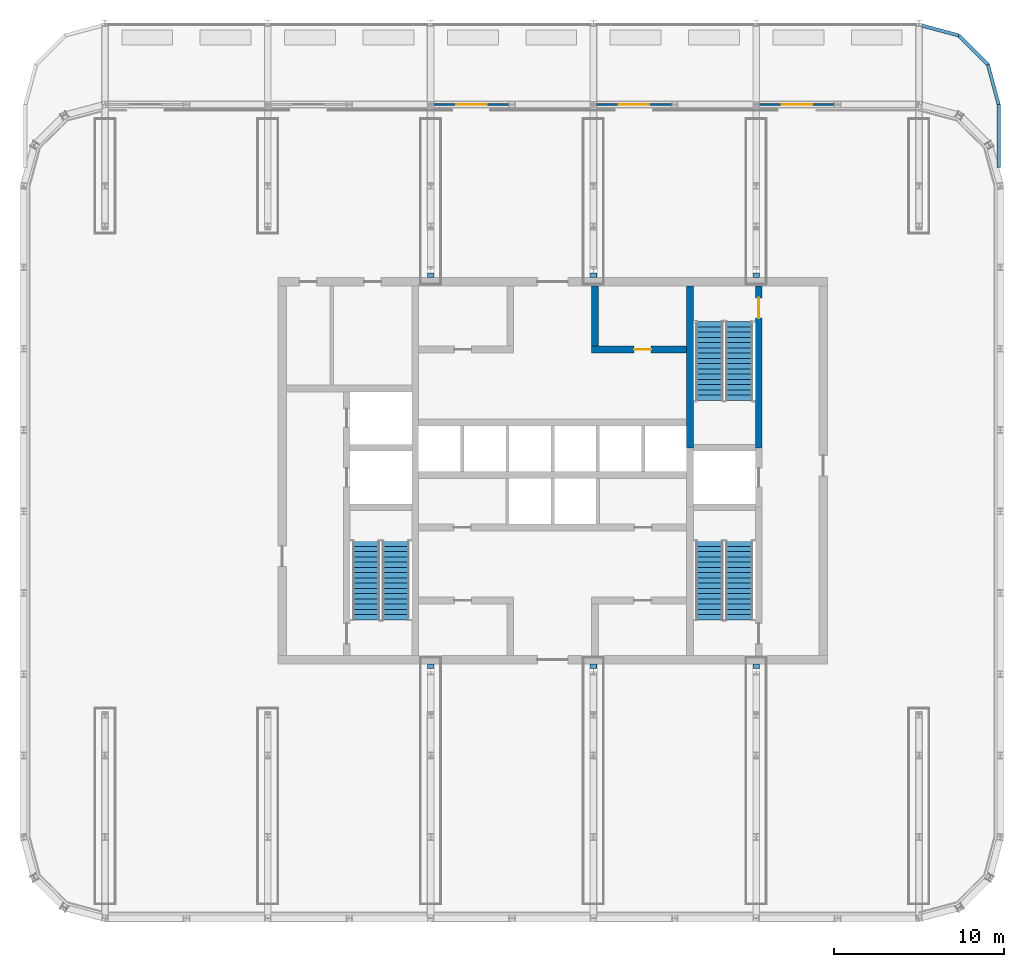
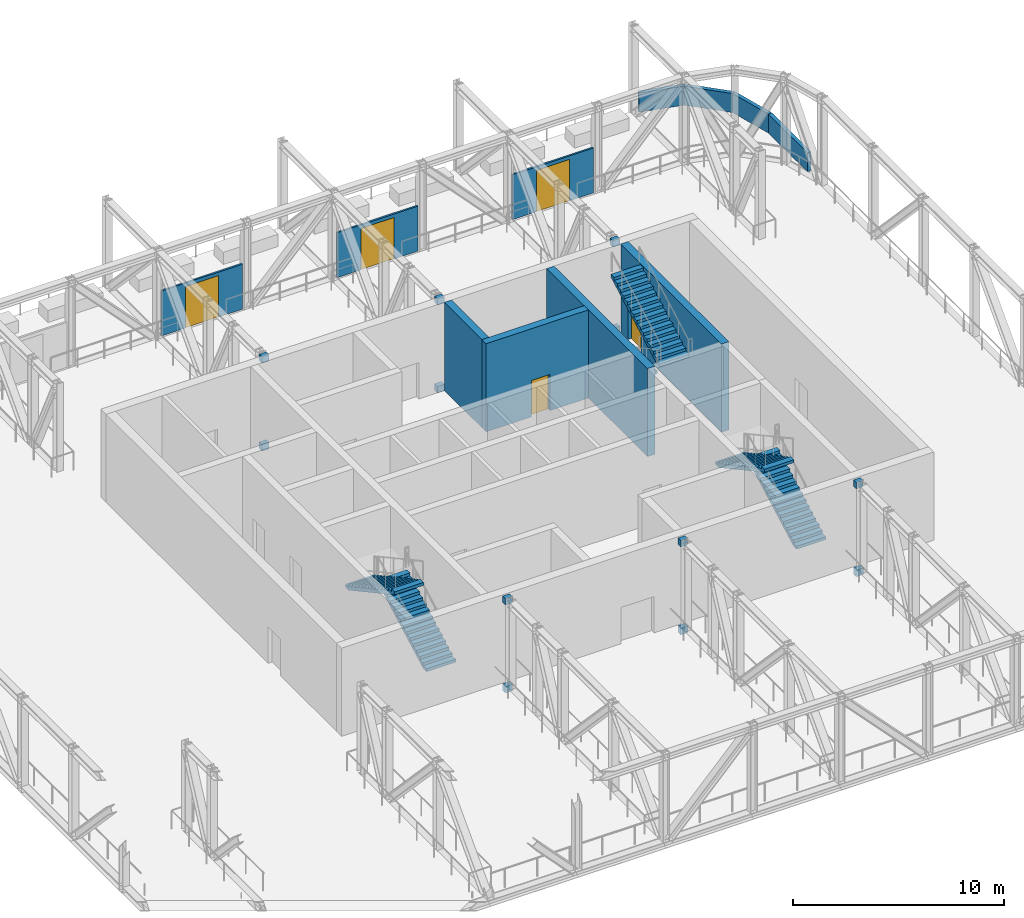
# One storey, part 10 of 16: 12 discrete accessories, 11 walls, 6 stair flights, 5 doors, 5 openings, 3 elements without a shape of their own.
"""IFC4 building model written with IfcOpenShell, lengths in metres."""

from ifc_helpers import new_model, si_unit, direction, frame, frame_2d, origin, origin_2d, place, context, subcontext, project, spatial, polyline, rectangle, outline, extrude, material, layer, layer_set, type_object, element, fill, aggregate, save


model = new_model("IFC4")

# Units and contexts
model_context = context("Model", 3, precision=1e-05, world=origin(), true_north=direction((0.0, 1.0)))
body_context = subcontext(model_context, "Body", "Model", "MODEL_VIEW")
ifc_project = project(units=[si_unit("LENGTHUNIT", "METRE"), si_unit("AREAUNIT", "SQUARE_METRE"), si_unit("VOLUMEUNIT", "CUBIC_METRE"), si_unit("PLANEANGLEUNIT", "RADIAN"), si_unit("MASSUNIT", "GRAM", prefix="KILO")], contexts=[model_context])

# Site, building, storey
site_placement = place(None, origin())
site = spatial("IfcSite", under=ifc_project, at=site_placement, CompositionType="ELEMENT")
building_placement = place(site_placement, origin())
building = spatial("IfcBuilding", under=site, at=building_placement, Name="Madar Terraces", CompositionType="ELEMENT")
storey_placement = place(building_placement, frame((0.0, 0.0, 263.199951171875)))
storey = spatial("IfcBuildingStorey", under=building, at=storey_placement, Name="L69", CompositionType="ELEMENT", Elevation=263.199951171875)

# Wall
ifc_material_1 = material(Name="Concrete C50/60", Category="concrete")
ifc_layer_1 = layer(ifc_material_1, 0.39990234375)
ifc_layer_set_1 = layer_set([ifc_layer_1], Name="Concrete C50/60 (CIW6 RC wall 400)")
wall_type_1 = type_object("IfcWallType", Name="CIW6 RC wall 400", PredefinedType="SHEAR", material=ifc_layer_set_1)
wall_1_placement = place(storey_placement, frame((39.300048828125, 27.75, 0.0), z_axis=(0.0, 0.0, 1.0), x_axis=(0.0, 1.0, 0.0)))
element("IfcWall", 1, at=wall_1_placement, inside=storey, type_object=wall_type_1, Name="CORE SHAFT WALL", PredefinedType="SHEAR", context=body_context, shape_type="SweptSolid", body=[
    extrude(rectangle(XDim=9.550048828125, YDim=0.39990234375, at=frame_2d((4.77490234375, 0.0))), origin(), (0.0, 0.0, 1.0), 5.10009765625),
])

# Wall, opening, door
wall_2_placement = place(storey_placement, frame((43.35009765625, 27.75, 0.0), z_axis=(0.0, 0.0, 1.0), x_axis=(0.0, 1.0, 0.0)))
wall_2 = element("IfcWall", 2, at=wall_2_placement, inside=storey, type_object=wall_type_1, Name="CORE SHAFT WALL", PredefinedType="SHEAR", context=body_context, shape_type="SweptSolid", body=[
    extrude(rectangle(XDim=9.550048828125, YDim=0.39990234375, at=frame_2d((4.77490234375, 0.0))), origin(), (0.0, 0.0, 1.0), 5.10009765625),
])
opening_1_placement = place(wall_2_placement, frame((7.64990234375, 0.0, 0.0)))
opening_1 = element("IfcOpeningElement", 3, at=opening_1_placement, cuts=wall_2, Name="Opening SD1", PredefinedType="OPENING", context=body_context, shape_type="SweptSolid", body=[
    extrude(rectangle(XDim=1.199951171875, YDim=2.10009765625, at=frame_2d((0.60009765625, 1.050048828125))), frame((0.0, 0.2099609375, 0.0), z_axis=(0.0, -1.0, 0.0), x_axis=(1.0, 0.0, 0.0)), (0.0, 0.0, 1.0), 0.419921875),
])
ifc_material_2 = material(Name="Steel door leaf", Category="steel")
door_type_1 = type_object("IfcDoorType", Name="Stair door 1200 x 2100", OperationType="NOTDEFINED", PredefinedType="DOOR", material=ifc_material_2)
door_1_placement = place(opening_1_placement, origin())
door_1 = element("IfcDoor", 4, at=door_1_placement, inside=storey, type_object=door_type_1, Name="STAIR DOOR", OperationType="SINGLE_SWING_LEFT", OverallHeight=2.10009765625, OverallWidth=1.199951171875, PredefinedType="DOOR", context=body_context, shape_type="SweptSolid", body=[
    extrude(rectangle(XDim=1.199951171875, YDim=2.10009765625, at=frame_2d((0.60009765625, 1.050048828125))), frame((0.0, 0.02490234375, 0.0), z_axis=(0.0, -1.0, 0.0), x_axis=(1.0, 0.0, 0.0)), (0.0, 0.0, 1.0), 0.050048828125),
])
fill(opening_1, door_1)

wall_3_placement = place(storey_placement, frame((33.5, 33.550048828125, 0.0), z_axis=(0.0, 0.0, 1.0), x_axis=(1.0, 0.0, 0.0)))
wall_3 = element("IfcWall", 5, at=wall_3_placement, inside=storey, type_object=wall_type_1, Name="CORE SHAFT WALL", PredefinedType="SHEAR", context=body_context, shape_type="SweptSolid", body=[
    extrude(rectangle(XDim=5.60009765625, YDim=0.39990234375, at=frame_2d((2.800048828125, 0.0))), origin(), (0.0, 0.0, 1.0), 5.10009765625),
])
opening_2_placement = place(wall_3_placement, frame((2.5, 0.0, 0.0)))
opening_2 = element("IfcOpeningElement", 6, at=opening_2_placement, cuts=wall_3, Name="Opening KD2", PredefinedType="OPENING", context=body_context, shape_type="SweptSolid", body=[
    extrude(rectangle(XDim=1.0, YDim=2.10009765625, at=frame_2d((0.5, 1.050048828125))), frame((0.0, 0.2099609375, 0.0), z_axis=(0.0, -1.0, 0.0), x_axis=(1.0, 0.0, 0.0)), (0.0, 0.0, 1.0), 0.419921875),
])
ifc_material_3 = material(Name="Steel door leaf", Category="steel")
door_type_2 = type_object("IfcDoorType", Name="Service room door 1000 x 2100", OperationType="NOTDEFINED", PredefinedType="DOOR", material=ifc_material_3)
door_2_placement = place(opening_2_placement, frame((1.0, 0.0, 0.0), z_axis=(0.0, 0.0, 1.0), x_axis=(-1.0, 0.0, 0.0)))
door_2 = element("IfcDoor", 7, at=door_2_placement, inside=storey, type_object=door_type_2, Name="SERVICE ROOM DOOR", OperationType="SINGLE_SWING_LEFT", OverallHeight=2.10009765625, OverallWidth=1.0, PredefinedType="DOOR", context=body_context, shape_type="SweptSolid", body=[
    extrude(rectangle(XDim=1.0, YDim=2.10009765625, at=frame_2d((0.5, 1.050048828125))), frame((0.0, 0.02490234375, 0.0), z_axis=(0.0, -1.0, 0.0), x_axis=(1.0, 0.0, 0.0)), (0.0, 0.0, 1.0), 0.050048828125),
])
fill(opening_2, door_2)

# Walls
wall_4_placement = place(storey_placement, frame((33.699951171875, 33.75, 0.0), z_axis=(0.0, 0.0, 1.0), x_axis=(0.0, 1.0, 0.0)))
element("IfcWall", 8, at=wall_4_placement, inside=storey, type_object=wall_type_1, Name="CORE SHAFT WALL", PredefinedType="SHEAR", context=body_context, shape_type="SweptSolid", body=[
    extrude(rectangle(XDim=3.550048828125, YDim=0.39990234375, at=frame_2d((1.77490234375, 0.0))), origin(), (0.0, 0.0, 1.0), 5.10009765625),
])
ifc_material_4 = material(Name="Concrete C40/50", Category="concrete")
ifc_layer_2 = layer(ifc_material_4, 0.199951171875)
ifc_layer_set_2 = layer_set([ifc_layer_2], Name="Roof parapet 200")
wall_type_2 = type_object("IfcWallType", Name="Roof parapet 200", PredefinedType="PARAPET", material=ifc_layer_set_2)
wall_5_placement = place(storey_placement, frame((57.5, 44.29638671875, 0.0400390625), z_axis=(0.0, 0.0, 1.0), x_axis=(0.0, 1.0, 0.0)))
element("IfcWall", 9, at=wall_5_placement, inside=storey, type_object=wall_type_2, Name="Roof parapet", PredefinedType="PARAPET", context=body_context, shape_type="SweptSolid", body=[
    extrude(rectangle(XDim=3.70361328125, YDim=0.199951171875, at=frame_2d((1.851806640625, 0.0))), origin(), (0.0, 0.0, 1.0), 1.10009765625),
])
for number, where, z_axis, x_axis, name in (
    (10, (57.5, 48.0, 0.0400390625), (0.0, 0.0, 1.0), (-0.258792930722, 0.965932823238, 0.0), "Roof parapet"),
    (11, (56.870361328125, 50.35009765625, 0.0400390625), (0.0, 0.0, 1.0), (-0.707156953733, 0.70705660508, 0.0), "Roof parapet"),
):
    element("IfcWall", number, at=place(storey_placement, frame(where, z_axis=z_axis, x_axis=x_axis)), inside=storey, type_object=wall_type_2, Name=name, PredefinedType="PARAPET", context=body_context, shape_type="SweptSolid", body=[
        extrude(rectangle(XDim=2.432861328125, YDim=0.199951171875, at=frame_2d((1.21630859375, 0.0))), origin(), (0.0, 0.0, 1.0), 1.10009765625),
    ])
wall_6_placement = place(storey_placement, frame((55.14990234375, 52.0703125, 0.0400390625), z_axis=(0.0, 0.0, 1.0), x_axis=(-0.965917031279, 0.258851866296, 0.0)))
element("IfcWall", 12, at=wall_6_placement, inside=storey, type_object=wall_type_2, Name="Roof parapet", PredefinedType="PARAPET", context=body_context, shape_type="SweptSolid", body=[
    extrude(rectangle(XDim=2.24853515625, YDim=0.199951171875, at=frame_2d((1.124267578125, 0.0))), origin(), (0.0, 0.0, 1.0), 1.10009765625),
])

# Wall, opening, door
ifc_material_5 = material(Name="Steel S355, powder-coated", Category="steel")
ifc_layer_3 = layer(ifc_material_5, 0.10009765625)
ifc_layer_set_3 = layer_set([ifc_layer_3], Name="Terrace gate frame 100")
wall_type_3 = type_object("IfcWallType", Name="Terrace gate frame 100", PredefinedType="SOLIDWALL", material=ifc_layer_set_3)
wall_7_placement = place(storey_placement, frame((24.181640625, 48.0, -0.0390625), z_axis=(0.0, 0.0, 1.0), x_axis=(1.0, 0.0, 0.0)))
wall_7 = element("IfcWall", 13, at=wall_7_placement, inside=storey, type_object=wall_type_3, Name="Terrace gate frame", PredefinedType="SOLIDWALL", context=body_context, shape_type="SweptSolid", body=[
    extrude(rectangle(XDim=4.436767578125, YDim=0.10009765625, at=frame_2d((2.21826171875, 0.0))), origin(), (0.0, 0.0, 1.0), 2.60009765625),
])
opening_3_placement = place(wall_7_placement, frame((1.318359375, 0.0, 0.0)))
opening_3 = element("IfcOpeningElement", 14, at=opening_3_placement, cuts=wall_7, Name="Opening ED9", PredefinedType="OPENING", context=body_context, shape_type="SweptSolid", body=[
    extrude(rectangle(XDim=1.800048828125, YDim=2.39990234375, at=frame_2d((0.89990234375, 1.199951171875))), frame((0.0, 0.06005859375, 0.0), z_axis=(0.0, -1.0, 0.0), x_axis=(1.0, 0.0, 0.0)), (0.0, 0.0, 1.0), 0.1201171875),
])
ifc_material_6 = material(Name="Steel, powder-coated, with safety glazing", Category="steel")
door_type_3 = type_object("IfcDoorType", Name="Terrace gate door 1800 x 2400", OperationType="NOTDEFINED", PredefinedType="DOOR", material=ifc_material_6)
door_3_placement = place(opening_3_placement, origin())
door_3 = element("IfcDoor", 15, at=door_3_placement, inside=storey, type_object=door_type_3, Name="Terrace gate", OperationType="DOUBLE_DOOR_SINGLE_SWING", OverallHeight=2.39990234375, OverallWidth=1.800048828125, PredefinedType="DOOR", context=body_context, shape_type="SweptSolid", body=[
    extrude(rectangle(XDim=1.800048828125, YDim=2.39990234375, at=frame_2d((0.89990234375, 1.199951171875))), frame((0.0, 0.02490234375, 0.0), z_axis=(0.0, -1.0, 0.0), x_axis=(1.0, 0.0, 0.0)), (0.0, 0.0, 1.0), 0.050048828125),
])
fill(opening_3, door_3)

wall_8_placement = place(storey_placement, frame((33.781494140625, 48.0, -0.0390625), z_axis=(0.0, 0.0, 1.0), x_axis=(1.0, 0.0, 0.0)))
wall_8 = element("IfcWall", 16, at=wall_8_placement, inside=storey, type_object=wall_type_3, Name="Terrace gate frame", PredefinedType="SOLIDWALL", context=body_context, shape_type="SweptSolid", body=[
    extrude(rectangle(XDim=4.43701171875, YDim=0.10009765625, at=frame_2d((2.218505859375, 0.0))), origin(), (0.0, 0.0, 1.0), 2.60009765625),
])
opening_4_placement = place(wall_8_placement, frame((1.318359375, 0.0, 0.0)))
opening_4 = element("IfcOpeningElement", 17, at=opening_4_placement, cuts=wall_8, Name="Opening ED9", PredefinedType="OPENING", context=body_context, shape_type="SweptSolid", body=[
    extrude(rectangle(XDim=1.800048828125, YDim=2.39990234375, at=frame_2d((0.89990234375, 1.199951171875))), frame((0.0, 0.06005859375, 0.0), z_axis=(0.0, -1.0, 0.0), x_axis=(1.0, 0.0, 0.0)), (0.0, 0.0, 1.0), 0.1201171875),
])
door_4_placement = place(opening_4_placement, origin())
door_4 = element("IfcDoor", 18, at=door_4_placement, inside=storey, type_object=door_type_3, Name="Terrace gate", OperationType="DOUBLE_DOOR_SINGLE_SWING", OverallHeight=2.39990234375, OverallWidth=1.800048828125, PredefinedType="DOOR", context=body_context, shape_type="SweptSolid", body=[
    extrude(rectangle(XDim=1.800048828125, YDim=2.39990234375, at=frame_2d((0.89990234375, 1.199951171875))), frame((0.0, 0.02490234375, 0.0), z_axis=(0.0, -1.0, 0.0), x_axis=(1.0, 0.0, 0.0)), (0.0, 0.0, 1.0), 0.050048828125),
])
fill(opening_4, door_4)

wall_9_placement = place(storey_placement, frame((43.381591796875, 48.0, -0.0390625), z_axis=(0.0, 0.0, 1.0), x_axis=(1.0, 0.0, 0.0)))
wall_9 = element("IfcWall", 19, at=wall_9_placement, inside=storey, type_object=wall_type_3, Name="Terrace gate frame", PredefinedType="SOLIDWALL", context=body_context, shape_type="SweptSolid", body=[
    extrude(rectangle(XDim=4.436767578125, YDim=0.10009765625, at=frame_2d((2.21826171875, 0.0))), origin(), (0.0, 0.0, 1.0), 2.60009765625),
])
opening_5_placement = place(wall_9_placement, frame((1.318359375, 0.0, 0.0)))
opening_5 = element("IfcOpeningElement", 20, at=opening_5_placement, cuts=wall_9, Name="Opening ED9", PredefinedType="OPENING", context=body_context, shape_type="SweptSolid", body=[
    extrude(rectangle(XDim=1.800048828125, YDim=2.39990234375, at=frame_2d((0.89990234375, 1.199951171875))), frame((0.0, 0.06005859375, 0.0), z_axis=(0.0, -1.0, 0.0), x_axis=(1.0, 0.0, 0.0)), (0.0, 0.0, 1.0), 0.1201171875),
])
door_5_placement = place(opening_5_placement, origin())
door_5 = element("IfcDoor", 21, at=door_5_placement, inside=storey, type_object=door_type_3, Name="Terrace gate", OperationType="DOUBLE_DOOR_SINGLE_SWING", OverallHeight=2.39990234375, OverallWidth=1.800048828125, PredefinedType="DOOR", context=body_context, shape_type="SweptSolid", body=[
    extrude(rectangle(XDim=1.800048828125, YDim=2.39990234375, at=frame_2d((0.89990234375, 1.199951171875))), frame((0.0, 0.02490234375, 0.0), z_axis=(0.0, -1.0, 0.0), x_axis=(1.0, 0.0, 0.0)), (0.0, 0.0, 1.0), 0.050048828125),
])
fill(opening_5, door_5)

# Stair, stair flights
ifc_material_7 = material(Name="Concrete C50/60", Category="concrete")
stair_type_1 = type_object("IfcStairType", Name="Stair ST1 protected exit", PredefinedType="HALF_TURN_STAIR", material=ifc_material_7)
stair_1_placement = place(storey_placement, origin())
stair_1 = element("IfcStair", 22, at=stair_1_placement, inside=storey, type_object=stair_type_1, Name="L69 Protected Exit Stair ST1", PredefinedType="HALF_TURN_STAIR")
ifc_material_8 = material(Name="Concrete C50/60", Category="concrete")
stair_flight_type_1 = type_object("IfcStairFlightType", Name="Stair flight ST1-F3, 1600 wide, 16 risers", PredefinedType="STRAIGHT", material=ifc_material_8)
stair_flight_1_placement = place(storey_placement, frame((21.949951171875, 17.60009765625, 0.0), z_axis=(0.0, 0.0, 1.0), x_axis=(0.0, 1.0, 0.0)))
stair_flight_1 = element("IfcStairFlight", 23, at=stair_flight_1_placement, type_object=stair_flight_type_1, Name="ST1 flight 1", NumberOfRisers=16, NumberOfTreads=15, PredefinedType="STRAIGHT", RiserHeight=0.16875, TreadLength=0.31, context=body_context, shape_type="SweptSolid", body=[
    extrude(outline(polyline([(0.0, 0.0), (0.0, 0.168701171875), (0.31005859375, 0.168701171875), (0.31005859375, 0.33740234375), (0.6201171875, 0.33740234375), (0.6201171875, 0.50634765625), (0.929931640625, 0.50634765625), (0.929931640625, 0.675048828125), (1.239990234375, 0.675048828125), (1.239990234375, 0.84375), (1.550048828125, 0.84375), (1.550048828125, 1.012451171875), (1.860107421875, 1.012451171875), (1.860107421875, 1.18115234375), (2.169921875, 1.18115234375), (2.169921875, 1.35009765625), (2.47998046875, 1.35009765625), (2.47998046875, 1.518798828125), (2.7900390625, 1.518798828125), (2.7900390625, 1.6875), (3.10009765625, 1.6875), (3.10009765625, 1.856201171875), (3.409912109375, 1.856201171875), (3.409912109375, 2.02490234375), (3.719970703125, 2.02490234375), (3.719970703125, 2.19384765625), (4.030029296875, 2.19384765625), (4.030029296875, 2.362548828125), (4.340087890625, 2.362548828125), (4.340087890625, 2.53125), (4.64990234375, 2.53125), (4.64990234375, 2.699951171875), (4.64990234375, 2.360595703125), (0.3134765625, 0.0), (0.0, 0.0)])), frame((0.0, 0.800048828125, 0.0), z_axis=(0.0, -1.0, 0.0), x_axis=(1.0, 0.0, 0.0)), (0.0, 0.0, 1.0), 1.60009765625),
])
stair_flight_2_placement = place(storey_placement, frame((20.199951171875, 22.25, 2.699951171875), z_axis=(0.0, 0.0, 1.0), x_axis=(0.0, -1.0, 0.0)))
stair_flight_2 = element("IfcStairFlight", 24, at=stair_flight_2_placement, type_object=stair_flight_type_1, Name="ST1 flight 2", NumberOfRisers=16, NumberOfTreads=15, PredefinedType="STRAIGHT", RiserHeight=0.16875, TreadLength=0.31, context=body_context, shape_type="SweptSolid", body=[
    extrude(outline(polyline([(0.0, 0.0), (0.0, 0.168701171875), (0.31005859375, 0.168701171875), (0.31005859375, 0.33740234375), (0.6201171875, 0.33740234375), (0.6201171875, 0.50634765625), (0.929931640625, 0.50634765625), (0.929931640625, 0.675048828125), (1.239990234375, 0.675048828125), (1.239990234375, 0.84375), (1.550048828125, 0.84375), (1.550048828125, 1.012451171875), (1.860107421875, 1.012451171875), (1.860107421875, 1.18115234375), (2.169921875, 1.18115234375), (2.169921875, 1.35009765625), (2.47998046875, 1.35009765625), (2.47998046875, 1.518798828125), (2.7900390625, 1.518798828125), (2.7900390625, 1.6875), (3.10009765625, 1.6875), (3.10009765625, 1.856201171875), (3.409912109375, 1.856201171875), (3.409912109375, 2.02490234375), (3.719970703125, 2.02490234375), (3.719970703125, 2.19384765625), (4.030029296875, 2.19384765625), (4.030029296875, 2.362548828125), (4.340087890625, 2.362548828125), (4.340087890625, 2.53125), (4.64990234375, 2.53125), (4.64990234375, 2.699951171875), (4.64990234375, 2.360595703125), (0.3134765625, 0.0), (0.0, 0.0)])), frame((0.0, 0.800048828125, 0.0), z_axis=(0.0, -1.0, 0.0), x_axis=(1.0, 0.0, 0.0)), (0.0, 0.0, 1.0), 1.60009765625),
])
aggregate(stair_1, [stair_flight_1, stair_flight_2])

ifc_material_9 = material(Name="Concrete C50/60", Category="concrete")
stair_type_2 = type_object("IfcStairType", Name="Stair ST2 protected exit", PredefinedType="HALF_TURN_STAIR", material=ifc_material_9)
stair_2_placement = place(storey_placement, origin())
stair_2 = element("IfcStair", 25, at=stair_2_placement, inside=storey, type_object=stair_type_2, Name="L69 Protected Exit Stair ST2", PredefinedType="HALF_TURN_STAIR")
ifc_material_10 = material(Name="Concrete C50/60", Category="concrete")
stair_flight_type_2 = type_object("IfcStairFlightType", Name="Stair flight ST2-F3, 1600 wide, 16 risers", PredefinedType="STRAIGHT", material=ifc_material_10)
stair_flight_3_placement = place(storey_placement, frame((40.449951171875, 35.199951171875, 0.0), z_axis=(0.0, 0.0, 1.0), x_axis=(0.0, -1.0, 0.0)))
stair_flight_3 = element("IfcStairFlight", 26, at=stair_flight_3_placement, type_object=stair_flight_type_2, Name="ST2 flight 1", NumberOfRisers=16, NumberOfTreads=15, PredefinedType="STRAIGHT", RiserHeight=0.16875, TreadLength=0.31, context=body_context, shape_type="SweptSolid", body=[
    extrude(outline(polyline([(0.0, 0.0), (0.0, 0.168701171875), (0.31005859375, 0.168701171875), (0.31005859375, 0.33740234375), (0.6201171875, 0.33740234375), (0.6201171875, 0.50634765625), (0.929931640625, 0.50634765625), (0.929931640625, 0.675048828125), (1.239990234375, 0.675048828125), (1.239990234375, 0.84375), (1.550048828125, 0.84375), (1.550048828125, 1.012451171875), (1.860107421875, 1.012451171875), (1.860107421875, 1.18115234375), (2.169921875, 1.18115234375), (2.169921875, 1.35009765625), (2.47998046875, 1.35009765625), (2.47998046875, 1.518798828125), (2.7900390625, 1.518798828125), (2.7900390625, 1.6875), (3.10009765625, 1.6875), (3.10009765625, 1.856201171875), (3.409912109375, 1.856201171875), (3.409912109375, 2.02490234375), (3.719970703125, 2.02490234375), (3.719970703125, 2.19384765625), (4.030029296875, 2.19384765625), (4.030029296875, 2.362548828125), (4.340087890625, 2.362548828125), (4.340087890625, 2.53125), (4.64990234375, 2.53125), (4.64990234375, 2.699951171875), (4.64990234375, 2.360595703125), (0.3134765625, 0.0), (0.0, 0.0)])), frame((0.0, 0.800048828125, 0.0), z_axis=(0.0, -1.0, 0.0), x_axis=(1.0, 0.0, 0.0)), (0.0, 0.0, 1.0), 1.60009765625),
])
stair_flight_4_placement = place(storey_placement, frame((42.199951171875, 30.550048828125, 2.699951171875), z_axis=(0.0, 0.0, 1.0), x_axis=(0.0, 1.0, 0.0)))
stair_flight_4 = element("IfcStairFlight", 27, at=stair_flight_4_placement, type_object=stair_flight_type_2, Name="ST2 flight 2", NumberOfRisers=16, NumberOfTreads=15, PredefinedType="STRAIGHT", RiserHeight=0.16875, TreadLength=0.31, context=body_context, shape_type="SweptSolid", body=[
    extrude(outline(polyline([(0.0, 0.0), (0.0, 0.168701171875), (0.31005859375, 0.168701171875), (0.31005859375, 0.33740234375), (0.6201171875, 0.33740234375), (0.6201171875, 0.50634765625), (0.929931640625, 0.50634765625), (0.929931640625, 0.675048828125), (1.239990234375, 0.675048828125), (1.239990234375, 0.84375), (1.550048828125, 0.84375), (1.550048828125, 1.012451171875), (1.860107421875, 1.012451171875), (1.860107421875, 1.18115234375), (2.169921875, 1.18115234375), (2.169921875, 1.35009765625), (2.47998046875, 1.35009765625), (2.47998046875, 1.518798828125), (2.7900390625, 1.518798828125), (2.7900390625, 1.6875), (3.10009765625, 1.6875), (3.10009765625, 1.856201171875), (3.409912109375, 1.856201171875), (3.409912109375, 2.02490234375), (3.719970703125, 2.02490234375), (3.719970703125, 2.19384765625), (4.030029296875, 2.19384765625), (4.030029296875, 2.362548828125), (4.340087890625, 2.362548828125), (4.340087890625, 2.53125), (4.64990234375, 2.53125), (4.64990234375, 2.699951171875), (4.64990234375, 2.360595703125), (0.3134765625, 0.0), (0.0, 0.0)])), frame((0.0, 0.800048828125, 0.0), z_axis=(0.0, -1.0, 0.0), x_axis=(1.0, 0.0, 0.0)), (0.0, 0.0, 1.0), 1.60009765625),
])
aggregate(stair_2, [stair_flight_3, stair_flight_4])

ifc_material_11 = material(Name="Concrete C50/60", Category="concrete")
stair_type_3 = type_object("IfcStairType", Name="Stair ST3 protected exit", PredefinedType="HALF_TURN_STAIR", material=ifc_material_11)
stair_3_placement = place(storey_placement, origin())
stair_3 = element("IfcStair", 28, at=stair_3_placement, inside=storey, type_object=stair_type_3, Name="L69 Protected Exit Stair ST3", PredefinedType="HALF_TURN_STAIR")
ifc_material_12 = material(Name="Concrete C50/60", Category="concrete")
stair_flight_type_3 = type_object("IfcStairFlightType", Name="Stair flight ST3-F3, 1600 wide, 16 risers", PredefinedType="STRAIGHT", material=ifc_material_12)
stair_flight_5_placement = place(storey_placement, frame((42.199951171875, 17.60009765625, 0.0), z_axis=(0.0, 0.0, 1.0), x_axis=(0.0, 1.0, 0.0)))
stair_flight_5 = element("IfcStairFlight", 29, at=stair_flight_5_placement, type_object=stair_flight_type_3, Name="ST3 flight 1", NumberOfRisers=16, NumberOfTreads=15, PredefinedType="STRAIGHT", RiserHeight=0.16875, TreadLength=0.31, context=body_context, shape_type="SweptSolid", body=[
    extrude(outline(polyline([(0.0, 0.0), (0.0, 0.168701171875), (0.31005859375, 0.168701171875), (0.31005859375, 0.33740234375), (0.6201171875, 0.33740234375), (0.6201171875, 0.50634765625), (0.929931640625, 0.50634765625), (0.929931640625, 0.675048828125), (1.239990234375, 0.675048828125), (1.239990234375, 0.84375), (1.550048828125, 0.84375), (1.550048828125, 1.012451171875), (1.860107421875, 1.012451171875), (1.860107421875, 1.18115234375), (2.169921875, 1.18115234375), (2.169921875, 1.35009765625), (2.47998046875, 1.35009765625), (2.47998046875, 1.518798828125), (2.7900390625, 1.518798828125), (2.7900390625, 1.6875), (3.10009765625, 1.6875), (3.10009765625, 1.856201171875), (3.409912109375, 1.856201171875), (3.409912109375, 2.02490234375), (3.719970703125, 2.02490234375), (3.719970703125, 2.19384765625), (4.030029296875, 2.19384765625), (4.030029296875, 2.362548828125), (4.340087890625, 2.362548828125), (4.340087890625, 2.53125), (4.64990234375, 2.53125), (4.64990234375, 2.699951171875), (4.64990234375, 2.360595703125), (0.3134765625, 0.0), (0.0, 0.0)])), frame((0.0, 0.800048828125, 0.0), z_axis=(0.0, -1.0, 0.0), x_axis=(1.0, 0.0, 0.0)), (0.0, 0.0, 1.0), 1.60009765625),
])
stair_flight_6_placement = place(storey_placement, frame((40.449951171875, 22.25, 2.699951171875), z_axis=(0.0, 0.0, 1.0), x_axis=(0.0, -1.0, 0.0)))
stair_flight_6 = element("IfcStairFlight", 30, at=stair_flight_6_placement, type_object=stair_flight_type_3, Name="ST3 flight 2", NumberOfRisers=16, NumberOfTreads=15, PredefinedType="STRAIGHT", RiserHeight=0.16875, TreadLength=0.31, context=body_context, shape_type="SweptSolid", body=[
    extrude(outline(polyline([(0.0, 0.0), (0.0, 0.168701171875), (0.31005859375, 0.168701171875), (0.31005859375, 0.33740234375), (0.6201171875, 0.33740234375), (0.6201171875, 0.50634765625), (0.929931640625, 0.50634765625), (0.929931640625, 0.675048828125), (1.239990234375, 0.675048828125), (1.239990234375, 0.84375), (1.550048828125, 0.84375), (1.550048828125, 1.012451171875), (1.860107421875, 1.012451171875), (1.860107421875, 1.18115234375), (2.169921875, 1.18115234375), (2.169921875, 1.35009765625), (2.47998046875, 1.35009765625), (2.47998046875, 1.518798828125), (2.7900390625, 1.518798828125), (2.7900390625, 1.6875), (3.10009765625, 1.6875), (3.10009765625, 1.856201171875), (3.409912109375, 1.856201171875), (3.409912109375, 2.02490234375), (3.719970703125, 2.02490234375), (3.719970703125, 2.19384765625), (4.030029296875, 2.19384765625), (4.030029296875, 2.362548828125), (4.340087890625, 2.362548828125), (4.340087890625, 2.53125), (4.64990234375, 2.53125), (4.64990234375, 2.699951171875), (4.64990234375, 2.360595703125), (0.3134765625, 0.0), (0.0, 0.0)])), frame((0.0, 0.800048828125, 0.0), z_axis=(0.0, -1.0, 0.0), x_axis=(1.0, 0.0, 0.0)), (0.0, 0.0, 1.0), 1.60009765625),
])
aggregate(stair_3, [stair_flight_5, stair_flight_6])

# Discrete accessories
ifc_material_13 = material(Name="Steel, galvanised", Category="steel")
discrete_accessory_type = type_object("IfcDiscreteAccessoryType", Name="Truss bearing plate", PredefinedType="BRACKET", material=ifc_material_13)
discrete_accessory_1_placement = place(storey_placement, frame((24.0, 14.86767578125, -0.419921875), z_axis=(0.0, 0.0, 1.0), x_axis=(1.0, 0.0, 0.0)))
element("IfcDiscreteAccessory", 31, at=discrete_accessory_1_placement, inside=storey, type_object=discrete_accessory_type, Name="Truss bearing plate bottom", PredefinedType="BRACKET", context=body_context, shape_type="SweptSolid", body=[
    extrude(rectangle(XDim=0.396240234375, YDim=0.2646484375, at=origin_2d()), origin(), (0.0, 0.0, 1.0), 0.381103515625),
])
discrete_accessory_2_placement = place(storey_placement, frame((24.0, 14.86767578125, 4.65673828125), z_axis=(0.0, 0.0, 1.0), x_axis=(1.0, 0.0, 0.0)))
element("IfcDiscreteAccessory", 32, at=discrete_accessory_2_placement, inside=storey, type_object=discrete_accessory_type, Name="Truss bearing plate top", PredefinedType="BRACKET", context=body_context, shape_type="SweptSolid", body=[
    extrude(rectangle(XDim=0.373291015625, YDim=0.2646484375, at=origin_2d()), origin(), (0.0, 0.0, 1.0), 0.373291015625),
])
discrete_accessory_3_placement = place(storey_placement, frame((33.60009765625, 14.86767578125, -0.419921875), z_axis=(0.0, 0.0, 1.0), x_axis=(1.0, 0.0, 0.0)))
element("IfcDiscreteAccessory", 33, at=discrete_accessory_3_placement, inside=storey, type_object=discrete_accessory_type, Name="Truss bearing plate bottom", PredefinedType="BRACKET", context=body_context, shape_type="SweptSolid", body=[
    extrude(rectangle(XDim=0.396240234375, YDim=0.2646484375, at=origin_2d()), origin(), (0.0, 0.0, 1.0), 0.381103515625),
])
discrete_accessory_4_placement = place(storey_placement, frame((33.60009765625, 14.86767578125, 4.65673828125), z_axis=(0.0, 0.0, 1.0), x_axis=(1.0, 0.0, 0.0)))
element("IfcDiscreteAccessory", 34, at=discrete_accessory_4_placement, inside=storey, type_object=discrete_accessory_type, Name="Truss bearing plate top", PredefinedType="BRACKET", context=body_context, shape_type="SweptSolid", body=[
    extrude(rectangle(XDim=0.373291015625, YDim=0.2646484375, at=origin_2d()), origin(), (0.0, 0.0, 1.0), 0.373291015625),
])
discrete_accessory_5_placement = place(storey_placement, frame((43.199951171875, 14.86767578125, -0.419921875), z_axis=(0.0, 0.0, 1.0), x_axis=(1.0, 0.0, 0.0)))
element("IfcDiscreteAccessory", 35, at=discrete_accessory_5_placement, inside=storey, type_object=discrete_accessory_type, Name="Truss bearing plate bottom", PredefinedType="BRACKET", context=body_context, shape_type="SweptSolid", body=[
    extrude(rectangle(XDim=0.396240234375, YDim=0.2646484375, at=origin_2d()), origin(), (0.0, 0.0, 1.0), 0.381103515625),
])
discrete_accessory_6_placement = place(storey_placement, frame((43.199951171875, 14.86767578125, 4.65673828125), z_axis=(0.0, 0.0, 1.0), x_axis=(1.0, 0.0, 0.0)))
element("IfcDiscreteAccessory", 36, at=discrete_accessory_6_placement, inside=storey, type_object=discrete_accessory_type, Name="Truss bearing plate top", PredefinedType="BRACKET", context=body_context, shape_type="SweptSolid", body=[
    extrude(rectangle(XDim=0.373291015625, YDim=0.2646484375, at=origin_2d()), origin(), (0.0, 0.0, 1.0), 0.373291015625),
])
discrete_accessory_7_placement = place(storey_placement, frame((24.0, 37.932373046875, -0.419921875), z_axis=(0.0, 0.0, 1.0), x_axis=(1.0, 0.0, 0.0)))
element("IfcDiscreteAccessory", 37, at=discrete_accessory_7_placement, inside=storey, type_object=discrete_accessory_type, Name="Truss bearing plate bottom", PredefinedType="BRACKET", context=body_context, shape_type="SweptSolid", body=[
    extrude(rectangle(XDim=0.396240234375, YDim=0.2646484375, at=origin_2d()), origin(), (0.0, 0.0, 1.0), 0.381103515625),
])
discrete_accessory_8_placement = place(storey_placement, frame((24.0, 37.932373046875, 4.65673828125), z_axis=(0.0, 0.0, 1.0), x_axis=(1.0, 0.0, 0.0)))
element("IfcDiscreteAccessory", 38, at=discrete_accessory_8_placement, inside=storey, type_object=discrete_accessory_type, Name="Truss bearing plate top", PredefinedType="BRACKET", context=body_context, shape_type="SweptSolid", body=[
    extrude(rectangle(XDim=0.373291015625, YDim=0.2646484375, at=origin_2d()), origin(), (0.0, 0.0, 1.0), 0.373291015625),
])
discrete_accessory_9_placement = place(storey_placement, frame((33.60009765625, 37.932373046875, -0.419921875), z_axis=(0.0, 0.0, 1.0), x_axis=(1.0, 0.0, 0.0)))
element("IfcDiscreteAccessory", 39, at=discrete_accessory_9_placement, inside=storey, type_object=discrete_accessory_type, Name="Truss bearing plate bottom", PredefinedType="BRACKET", context=body_context, shape_type="SweptSolid", body=[
    extrude(rectangle(XDim=0.396240234375, YDim=0.2646484375, at=origin_2d()), origin(), (0.0, 0.0, 1.0), 0.381103515625),
])
discrete_accessory_10_placement = place(storey_placement, frame((33.60009765625, 37.932373046875, 4.65673828125), z_axis=(0.0, 0.0, 1.0), x_axis=(1.0, 0.0, 0.0)))
element("IfcDiscreteAccessory", 40, at=discrete_accessory_10_placement, inside=storey, type_object=discrete_accessory_type, Name="Truss bearing plate top", PredefinedType="BRACKET", context=body_context, shape_type="SweptSolid", body=[
    extrude(rectangle(XDim=0.373291015625, YDim=0.2646484375, at=origin_2d()), origin(), (0.0, 0.0, 1.0), 0.373291015625),
])
discrete_accessory_11_placement = place(storey_placement, frame((43.199951171875, 37.932373046875, -0.419921875), z_axis=(0.0, 0.0, 1.0), x_axis=(1.0, 0.0, 0.0)))
element("IfcDiscreteAccessory", 41, at=discrete_accessory_11_placement, inside=storey, type_object=discrete_accessory_type, Name="Truss bearing plate bottom", PredefinedType="BRACKET", context=body_context, shape_type="SweptSolid", body=[
    extrude(rectangle(XDim=0.396240234375, YDim=0.2646484375, at=origin_2d()), origin(), (0.0, 0.0, 1.0), 0.381103515625),
])
discrete_accessory_12_placement = place(storey_placement, frame((43.199951171875, 37.932373046875, 4.65673828125), z_axis=(0.0, 0.0, 1.0), x_axis=(1.0, 0.0, 0.0)))
element("IfcDiscreteAccessory", 42, at=discrete_accessory_12_placement, inside=storey, type_object=discrete_accessory_type, Name="Truss bearing plate top", PredefinedType="BRACKET", context=body_context, shape_type="SweptSolid", body=[
    extrude(rectangle(XDim=0.373291015625, YDim=0.2646484375, at=origin_2d()), origin(), (0.0, 0.0, 1.0), 0.373291015625),
])

save(model, "model.ifc")
